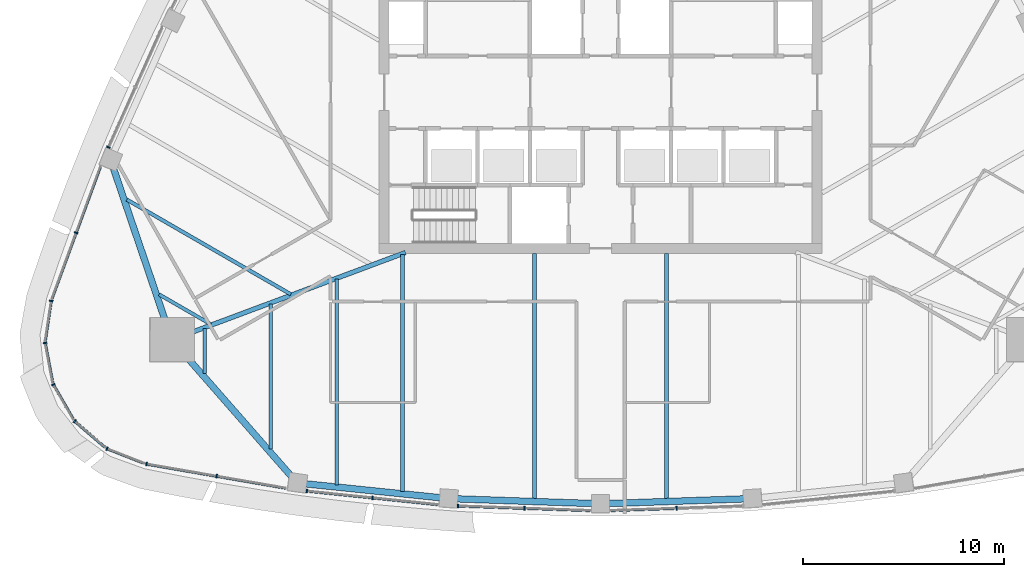
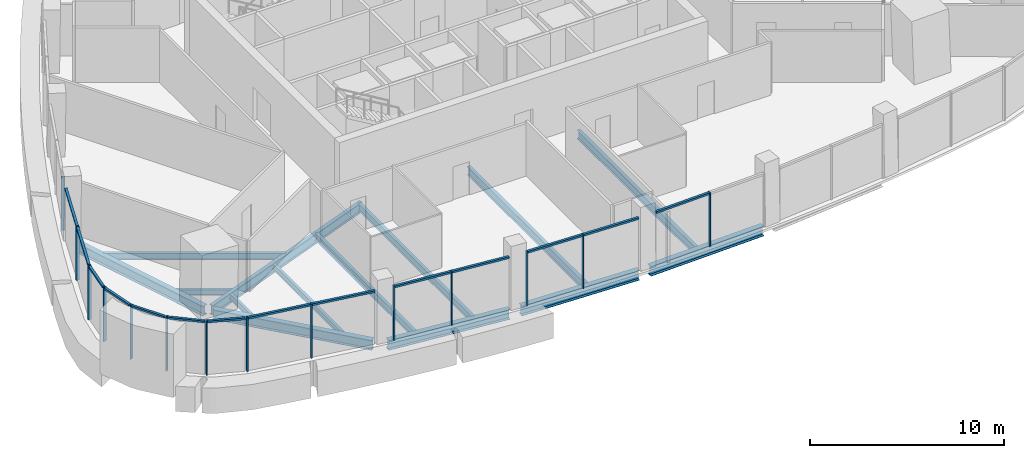
# One storey, part 2 of 15: 28 members, 14 beams, 11 elements without a shape of their own.
"""IFC4 building model written with IfcOpenShell, lengths in metres."""

from ifc_helpers import new_model, si_unit, direction, frame, origin, origin_2d, place, context, subcontext, project, spatial, rectangle, i_section, extrude, material, layer, layer_set, material_profile, profile_set, type_object, element, aggregate, save


model = new_model("IFC4")

# Units and contexts
model_context = context("Model", 3, precision=1e-05, world=origin(), true_north=direction((0.0, 1.0)))
body_context = subcontext(model_context, "Body", "Model", "MODEL_VIEW")
ifc_project = project(units=[si_unit("LENGTHUNIT", "METRE"), si_unit("AREAUNIT", "SQUARE_METRE"), si_unit("VOLUMEUNIT", "CUBIC_METRE"), si_unit("PLANEANGLEUNIT", "RADIAN"), si_unit("MASSUNIT", "GRAM", prefix="KILO")], contexts=[model_context])

# Site, building, storey
site_placement = place(None, origin())
site = spatial("IfcSite", under=ifc_project, at=site_placement, CompositionType="ELEMENT")
building_placement = place(site_placement, origin())
building = spatial("IfcBuilding", under=site, at=building_placement, Name="Sierra Prisma Convention Tower", CompositionType="ELEMENT")
storey_placement = place(building_placement, frame((0.0, 0.0, 267.0)))
storey = spatial("IfcBuildingStorey", under=building, at=storey_placement, Name="L60", CompositionType="ELEMENT", Elevation=267.0)

# Curtain wall, members
ifc_material_1 = material(Name="Aluminium and glass curtain wall", Category="aluminium")
ifc_layer = layer(ifc_material_1, 0.179931640625)
ifc_layer_set = layer_set([ifc_layer], Name="CW-1 Plain shaft curtain wall")
curtain_wall_type = type_object("IfcCurtainWallType", Name="CW-1 Plain shaft curtain wall", PredefinedType="NOTDEFINED", material=ifc_layer_set)
curtain_wall_1_placement = place(storey_placement, origin())
curtain_wall_1 = element("IfcCurtainWall", 1, at=curtain_wall_1_placement, inside=storey, type_object=curtain_wall_type, Name="CW-1 S1 L60", PredefinedType="NOTDEFINED")
ifc_material_2 = material(Name="Aluminium 6063-T6 bronze anodised", Category="aluminium")
ifc_material_profile_1 = material_profile(ifc_material_2, rectangle(XDim=0.179931640625, YDim=0.070068359375, at=origin_2d()), Name="ALU MULLION 70x180")
ifc_profile_set_1 = profile_set([ifc_material_profile_1], Name="Aluminium 6063-T6 bronze anodised")
member_type_1 = type_object("IfcMemberType", Name="CW mullion bronze", PredefinedType="MULLION", material=ifc_profile_set_1)
member_1_placement = place(storey_placement, frame((-22.5400390625, -18.45751953125, 0.0), z_axis=(0.0, 0.0, 1.0), x_axis=(0.170572559804, 0.98534511814, 0.0)))
member_1 = element("IfcMember", 2, at=member_1_placement, type_object=member_type_1, Name="CW-1 mullion S1.1", PredefinedType="MULLION", context=body_context, shape_type="SweptSolid", body=[
    extrude(rectangle(XDim=0.179931640625, YDim=0.070068359375, at=origin_2d()), origin(), (0.0, 0.0, 1.0), 3.39990234375),
])
member_2_placement = place(storey_placement, frame((-19.063232421875, -19.059326171875, 0.0), z_axis=(0.0, 0.0, 1.0), x_axis=(0.170572559804, 0.98534511814, 0.0)))
member_2 = element("IfcMember", 3, at=member_2_placement, type_object=member_type_1, Name="CW-1 mullion S1.2", PredefinedType="MULLION", context=body_context, shape_type="SweptSolid", body=[
    extrude(rectangle(XDim=0.179931640625, YDim=0.070068359375, at=origin_2d()), origin(), (0.0, 0.0, 1.0), 3.39990234375),
])

curtain_wall_2_placement = place(storey_placement, origin())
curtain_wall_2 = element("IfcCurtainWall", 4, at=curtain_wall_2_placement, inside=storey, type_object=curtain_wall_type, Name="CW-1 S2 L60", PredefinedType="NOTDEFINED")
member_3_placement = place(storey_placement, frame((-14.582763671875, -19.798095703125, 0.0), z_axis=(0.0, 0.0, 1.0), x_axis=(0.102665217297, 0.994715966071, 0.0)))
member_3 = element("IfcMember", 5, at=member_3_placement, type_object=member_type_1, Name="CW-1 mullion S2.1", PredefinedType="MULLION", context=body_context, shape_type="SweptSolid", body=[
    extrude(rectangle(XDim=0.179931640625, YDim=0.070068359375, at=origin_2d()), origin(), (0.0, 0.0, 1.0), 3.39990234375),
])
member_4_placement = place(storey_placement, frame((-11.318603515625, -20.135009765625, 0.0), z_axis=(0.0, 0.0, 1.0), x_axis=(0.102665217297, 0.994715966071, 0.0)))
member_4 = element("IfcMember", 6, at=member_4_placement, type_object=member_type_1, Name="CW-1 mullion S2.2", PredefinedType="MULLION", context=body_context, shape_type="SweptSolid", body=[
    extrude(rectangle(XDim=0.179931640625, YDim=0.070068359375, at=origin_2d()), origin(), (0.0, 0.0, 1.0), 3.39990234375),
])

curtain_wall_3_placement = place(storey_placement, origin())
curtain_wall_3 = element("IfcCurtainWall", 7, at=curtain_wall_3_placement, inside=storey, type_object=curtain_wall_type, Name="CW-1 S3 L60", PredefinedType="NOTDEFINED")
member_5_placement = place(storey_placement, frame((-7.075439453125, -20.538818359375, 0.0), z_axis=(0.0, 0.0, 1.0), x_axis=(0.034275428352, 0.999412424883, 0.0)))
member_5 = element("IfcMember", 8, at=member_5_placement, type_object=member_type_1, Name="CW-1 mullion S3.1", PredefinedType="MULLION", context=body_context, shape_type="SweptSolid", body=[
    extrude(rectangle(XDim=0.179931640625, YDim=0.070068359375, at=origin_2d()), origin(), (0.0, 0.0, 1.0), 3.39990234375),
])
member_6_placement = place(storey_placement, frame((-3.780029296875, -20.65185546875, 0.0), z_axis=(0.0, 0.0, 1.0), x_axis=(0.034275428352, 0.999412424883, 0.0)))
member_6 = element("IfcMember", 9, at=member_6_placement, type_object=member_type_1, Name="CW-1 mullion S3.2", PredefinedType="MULLION", context=body_context, shape_type="SweptSolid", body=[
    extrude(rectangle(XDim=0.179931640625, YDim=0.070068359375, at=origin_2d()), origin(), (0.0, 0.0, 1.0), 3.39990234375),
])

# Curtain wall, member
curtain_wall_4_placement = place(storey_placement, origin())
curtain_wall_4 = element("IfcCurtainWall", 10, at=curtain_wall_4_placement, inside=storey, type_object=curtain_wall_type, Name="CW-1 S4 L60", PredefinedType="NOTDEFINED")
member_7_placement = place(storey_placement, frame((3.780029296875, -20.65185546875, 0.0), z_axis=(0.0, 0.0, 1.0), x_axis=(-0.034275428352, 0.999412424883, 0.0)))
member_7 = element("IfcMember", 11, at=member_7_placement, type_object=member_type_1, Name="CW-1 mullion S4.2", PredefinedType="MULLION", context=body_context, shape_type="SweptSolid", body=[
    extrude(rectangle(XDim=0.179931640625, YDim=0.070068359375, at=origin_2d()), origin(), (0.0, 0.0, 1.0), 3.39990234375),
])

curtain_wall_5_placement = place(storey_placement, origin())
curtain_wall_5 = element("IfcCurtainWall", 12, at=curtain_wall_5_placement, inside=storey, type_object=curtain_wall_type, Name="CW-1 NW5 L60", PredefinedType="NOTDEFINED")
member_8_placement = place(storey_placement, frame((-24.43701171875, -2.72998046875, 0.0), z_axis=(0.0, 0.0, 1.0), x_axis=(0.912781904816, -0.408447296771, 0.0)))
member_8 = element("IfcMember", 13, at=member_8_placement, type_object=member_type_1, Name="CW-1 mullion NW5.3", PredefinedType="MULLION", context=body_context, shape_type="SweptSolid", body=[
    extrude(rectangle(XDim=0.179931640625, YDim=0.070068359375, at=origin_2d()), origin(), (0.0, 0.0, 1.0), 3.39990234375),
])
aggregate(curtain_wall_5, [member_8])

curtain_wall_6_placement = place(storey_placement, origin())
curtain_wall_6 = element("IfcCurtainWall", 14, at=curtain_wall_6_placement, inside=storey, type_object=curtain_wall_type, Name="CW-1 NW6 L60", PredefinedType="NOTDEFINED")
member_9_placement = place(storey_placement, frame((-26.03759765625, -6.979736328125, 0.0), z_axis=(0.0, 0.0, 1.0), x_axis=(0.938620183706, -0.344952389091, 0.0)))
member_9 = element("IfcMember", 15, at=member_9_placement, type_object=member_type_1, Name="CW-1 mullion NW6.2", PredefinedType="MULLION", context=body_context, shape_type="SweptSolid", body=[
    extrude(rectangle(XDim=0.179931640625, YDim=0.070068359375, at=origin_2d()), origin(), (0.0, 0.0, 1.0), 3.39990234375),
])

curtain_wall_7_placement = place(storey_placement, origin())
curtain_wall_7 = element("IfcCurtainWall", 16, at=curtain_wall_7_placement, inside=storey, type_object=curtain_wall_type, Name="CW-1 SW1 L60", PredefinedType="NOTDEFINED")
member_10_placement = place(storey_placement, frame((-27.27197265625, -10.35888671875, 0.0), z_axis=(0.0, 0.0, 1.0), x_axis=(0.988830032045, -0.149047535125, 0.0)))
member_10 = element("IfcMember", 17, at=member_10_placement, type_object=member_type_1, Name="CW-1 mullion SW1.1", PredefinedType="MULLION", context=body_context, shape_type="SweptSolid", body=[
    extrude(rectangle(XDim=0.179931640625, YDim=0.070068359375, at=origin_2d()), origin(), (0.0, 0.0, 1.0), 3.39990234375),
])

curtain_wall_8_placement = place(storey_placement, origin())
curtain_wall_8 = element("IfcCurtainWall", 18, at=curtain_wall_8_placement, inside=storey, type_object=curtain_wall_type, Name="CW-1 SW2 L60", PredefinedType="NOTDEFINED")
member_11_placement = place(storey_placement, frame((-27.574462890625, -12.443359375, 0.0), z_axis=(0.0, 0.0, 1.0), x_axis=(0.982566968542, 0.185908989377, 0.0)))
member_11 = element("IfcMember", 19, at=member_11_placement, type_object=member_type_1, Name="CW-1 mullion SW2.1", PredefinedType="MULLION", context=body_context, shape_type="SweptSolid", body=[
    extrude(rectangle(XDim=0.179931640625, YDim=0.070068359375, at=origin_2d()), origin(), (0.0, 0.0, 1.0), 3.39990234375),
])

curtain_wall_9_placement = place(storey_placement, origin())
curtain_wall_9 = element("IfcCurtainWall", 20, at=curtain_wall_9_placement, inside=storey, type_object=curtain_wall_type, Name="CW-1 SW3 L60", PredefinedType="NOTDEFINED")
member_12_placement = place(storey_placement, frame((-27.17138671875, -14.5107421875, 0.0), z_axis=(0.0, 0.0, 1.0), x_axis=(0.866025403784, 0.5, 0.0)))
member_12 = element("IfcMember", 21, at=member_12_placement, type_object=member_type_1, Name="CW-1 mullion SW3.1", PredefinedType="MULLION", context=body_context, shape_type="SweptSolid", body=[
    extrude(rectangle(XDim=0.179931640625, YDim=0.070068359375, at=origin_2d()), origin(), (0.0, 0.0, 1.0), 3.39990234375),
])

curtain_wall_10_placement = place(storey_placement, origin())
curtain_wall_10 = element("IfcCurtainWall", 22, at=curtain_wall_10_placement, inside=storey, type_object=curtain_wall_type, Name="CW-1 SW4 L60", PredefinedType="NOTDEFINED")
member_13_placement = place(storey_placement, frame((-26.1083984375, -16.3291015625, 0.0), z_axis=(0.0, 0.0, 1.0), x_axis=(0.652285391863, 0.757973460988, 0.0)))
member_13 = element("IfcMember", 23, at=member_13_placement, type_object=member_type_1, Name="CW-1 mullion SW4.1", PredefinedType="MULLION", context=body_context, shape_type="SweptSolid", body=[
    extrude(rectangle(XDim=0.179931640625, YDim=0.070068359375, at=origin_2d()), origin(), (0.0, 0.0, 1.0), 3.39990234375),
])

curtain_wall_11_placement = place(storey_placement, origin())
curtain_wall_11 = element("IfcCurtainWall", 24, at=curtain_wall_11_placement, inside=storey, type_object=curtain_wall_type, Name="CW-1 SW5 L60", PredefinedType="NOTDEFINED")
member_14_placement = place(storey_placement, frame((-24.50439453125, -17.694091796875, 0.0), z_axis=(0.0, 0.0, 1.0), x_axis=(0.365336064233, 0.930875695338, 0.0)))
member_14 = element("IfcMember", 25, at=member_14_placement, type_object=member_type_1, Name="CW-1 mullion SW5.1", PredefinedType="MULLION", context=body_context, shape_type="SweptSolid", body=[
    extrude(rectangle(XDim=0.179931640625, YDim=0.070068359375, at=origin_2d()), origin(), (0.0, 0.0, 1.0), 3.39990234375),
])

# Member
ifc_material_3 = material(Name="Aluminium 6063-T6 bronze anodised", Category="aluminium")
ifc_material_profile_2 = material_profile(ifc_material_3, rectangle(XDim=0.139892578125, YDim=0.1201171875, at=origin_2d()), Name="ALU TRANSOM 120x140")
ifc_profile_set_2 = profile_set([ifc_material_profile_2], Name="Aluminium 6063-T6 bronze anodised")
member_type_2 = type_object("IfcMemberType", Name="CW transom bronze", PredefinedType="USERDEFINED", material=ifc_profile_set_2)
member_15_placement = place(storey_placement, frame((-22.50537109375, -18.46337890625, 3.340087890625), z_axis=(0.985346170751, -0.170566479081, 0.0), x_axis=(0.170566479081, 0.985346170751, 0.0)))
member_15 = element("IfcMember", 26, at=member_15_placement, type_object=member_type_2, Name="CW-1 transom S1.1", ObjectType="TRANSOM", PredefinedType="USERDEFINED", context=body_context, shape_type="SweptSolid", body=[
    extrude(rectangle(XDim=0.139892578125, YDim=0.1201171875, at=origin_2d()), origin(), (0.0, 0.0, 1.0), 3.458251953125),
])

member_16_placement = place(storey_placement, frame((-19.02880859375, -19.065185546875, 3.340087890625), z_axis=(0.98533635853, -0.170623153644, 0.0), x_axis=(0.170623153644, 0.98533635853, 0.0)))
member_16 = element("IfcMember", 27, at=member_16_placement, type_object=member_type_2, Name="CW-1 transom S1.2", ObjectType="TRANSOM", PredefinedType="USERDEFINED", context=body_context, shape_type="SweptSolid", body=[
    extrude(rectangle(XDim=0.139892578125, YDim=0.1201171875, at=origin_2d()), origin(), (0.0, 0.0, 1.0), 3.45849609375),
])

aggregate(curtain_wall_1, [member_1, member_2, member_15, member_16])

member_17_placement = place(storey_placement, frame((-14.5478515625, -19.8017578125, 3.340087890625), z_axis=(0.994719127862, -0.10263457831, 0.0), x_axis=(0.10263457831, 0.994719127862, 0.0)))
member_17 = element("IfcMember", 28, at=member_17_placement, type_object=member_type_2, Name="CW-1 transom S2.1", ObjectType="TRANSOM", PredefinedType="USERDEFINED", context=body_context, shape_type="SweptSolid", body=[
    extrude(rectangle(XDim=0.139892578125, YDim=0.1201171875, at=origin_2d()), origin(), (0.0, 0.0, 1.0), 3.211181640625),
])

member_18_placement = place(storey_placement, frame((-11.283935546875, -20.138671875, 3.340087890625), z_axis=(0.994719928614, -0.102626817243, 0.0), x_axis=(0.102626817243, 0.994719928614, 0.0)))
member_18 = element("IfcMember", 29, at=member_18_placement, type_object=member_type_2, Name="CW-1 transom S2.2", ObjectType="TRANSOM", PredefinedType="USERDEFINED", context=body_context, shape_type="SweptSolid", body=[
    extrude(rectangle(XDim=0.139892578125, YDim=0.1201171875, at=origin_2d()), origin(), (0.0, 0.0, 1.0), 3.21142578125),
])

aggregate(curtain_wall_2, [member_3, member_4, member_17, member_18])

member_19_placement = place(storey_placement, frame((-7.040283203125, -20.5400390625, 3.340087890625), z_axis=(0.999412629333, -0.034269466436, 0.0), x_axis=(0.034269466436, 0.999412629333, 0.0)))
member_19 = element("IfcMember", 30, at=member_19_placement, type_object=member_type_2, Name="CW-1 transom S3.1", ObjectType="TRANSOM", PredefinedType="USERDEFINED", context=body_context, shape_type="SweptSolid", body=[
    extrude(rectangle(XDim=0.139892578125, YDim=0.1201171875, at=origin_2d()), origin(), (0.0, 0.0, 1.0), 3.227294921875),
])

member_20_placement = place(storey_placement, frame((-3.7451171875, -20.653076171875, 3.340087890625), z_axis=(0.999412629333, -0.034269466436, 0.0), x_axis=(0.034269466436, 0.999412629333, 0.0)))
member_20 = element("IfcMember", 31, at=member_20_placement, type_object=member_type_2, Name="CW-1 transom S3.2", ObjectType="TRANSOM", PredefinedType="USERDEFINED", context=body_context, shape_type="SweptSolid", body=[
    extrude(rectangle(XDim=0.139892578125, YDim=0.1201171875, at=origin_2d()), origin(), (0.0, 0.0, 1.0), 3.227294921875),
])

aggregate(curtain_wall_3, [member_5, member_6, member_19, member_20])

member_21_placement = place(storey_placement, frame((0.519775390625, -20.763671875, 3.340087890625), z_axis=(0.999412629333, 0.034269466436, 0.0), x_axis=(-0.034269466436, 0.999412629333, 0.0)))
member_21 = element("IfcMember", 32, at=member_21_placement, type_object=member_type_2, Name="CW-1 transom S4.1", ObjectType="TRANSOM", PredefinedType="USERDEFINED", context=body_context, shape_type="SweptSolid", body=[
    extrude(rectangle(XDim=0.139892578125, YDim=0.1201171875, at=origin_2d()), origin(), (0.0, 0.0, 1.0), 3.227294921875),
])

aggregate(curtain_wall_4, [member_7, member_21])

member_22_placement = place(storey_placement, frame((-24.83251953125, -3.70068359375, 3.340087890625), z_axis=(-0.344926629839, -0.93862965009, 0.0), x_axis=(0.93862965009, -0.344926629839, 0.0)))
member_22 = element("IfcMember", 33, at=member_22_placement, type_object=member_type_2, Name="CW-1 transom NW6.1", ObjectType="TRANSOM", PredefinedType="USERDEFINED", context=body_context, shape_type="SweptSolid", body=[
    extrude(rectangle(XDim=0.139892578125, YDim=0.1201171875, at=origin_2d()), origin(), (0.0, 0.0, 1.0), 3.458251953125),
])

member_23_placement = place(storey_placement, frame((-26.049560546875, -7.012451171875, 3.340087890625), z_axis=(-0.344926629839, -0.93862965009, 0.0), x_axis=(0.93862965009, -0.344926629839, 0.0)))
member_23 = element("IfcMember", 34, at=member_23_placement, type_object=member_type_2, Name="CW-1 transom NW6.2", ObjectType="TRANSOM", PredefinedType="USERDEFINED", context=body_context, shape_type="SweptSolid", body=[
    extrude(rectangle(XDim=0.139892578125, YDim=0.1201171875, at=origin_2d()), origin(), (0.0, 0.0, 1.0), 3.458251953125),
])

aggregate(curtain_wall_6, [member_9, member_22, member_23])

member_24_placement = place(storey_placement, frame((-27.277099609375, -10.3935546875, 3.340087890625), z_axis=(-0.149092517242, -0.98882325079, 0.0), x_axis=(0.98882325079, -0.149092517242, 0.0)))
member_24 = element("IfcMember", 35, at=member_24_placement, type_object=member_type_2, Name="CW-1 transom SW1.1", ObjectType="TRANSOM", PredefinedType="USERDEFINED", context=body_context, shape_type="SweptSolid", body=[
    extrude(rectangle(XDim=0.139892578125, YDim=0.1201171875, at=origin_2d()), origin(), (0.0, 0.0, 1.0), 1.96826171875),
])

aggregate(curtain_wall_7, [member_10, member_24])

member_25_placement = place(storey_placement, frame((-27.56787109375, -12.477783203125, 3.340087890625), z_axis=(0.185943455322, -0.982560446702, 0.0), x_axis=(0.982560446702, 0.185943455322, 0.0)))
member_25 = element("IfcMember", 36, at=member_25_placement, type_object=member_type_2, Name="CW-1 transom SW2.1", ObjectType="TRANSOM", PredefinedType="USERDEFINED", context=body_context, shape_type="SweptSolid", body=[
    extrude(rectangle(XDim=0.139892578125, YDim=0.1201171875, at=origin_2d()), origin(), (0.0, 0.0, 1.0), 1.96826171875),
])

aggregate(curtain_wall_8, [member_11, member_25])

member_26_placement = place(storey_placement, frame((-27.154052734375, -14.541015625, 3.340087890625), z_axis=(0.49999445743, -0.866028603765, 0.0), x_axis=(0.866028603765, 0.49999445743, 0.0)))
member_26 = element("IfcMember", 37, at=member_26_placement, type_object=member_type_2, Name="CW-1 transom SW3.1", ObjectType="TRANSOM", PredefinedType="USERDEFINED", context=body_context, shape_type="SweptSolid", body=[
    extrude(rectangle(XDim=0.139892578125, YDim=0.1201171875, at=origin_2d()), origin(), (0.0, 0.0, 1.0), 1.96826171875),
])

aggregate(curtain_wall_9, [member_12, member_26])

member_27_placement = place(storey_placement, frame((-26.081787109375, -16.351806640625, 3.340087890625), z_axis=(0.757915307009, -0.652352962285, 0.0), x_axis=(0.652352962285, 0.757915307009, 0.0)))
member_27 = element("IfcMember", 38, at=member_27_placement, type_object=member_type_2, Name="CW-1 transom SW4.1", ObjectType="TRANSOM", PredefinedType="USERDEFINED", context=body_context, shape_type="SweptSolid", body=[
    extrude(rectangle(XDim=0.139892578125, YDim=0.1201171875, at=origin_2d()), origin(), (0.0, 0.0, 1.0), 1.96826171875),
])

aggregate(curtain_wall_10, [member_13, member_27])

member_28_placement = place(storey_placement, frame((-24.4716796875, -17.706787109375, 3.340087890625), z_axis=(0.930835901668, -0.365437442206, 0.0), x_axis=(0.365437442206, 0.930835901668, 0.0)))
member_28 = element("IfcMember", 39, at=member_28_placement, type_object=member_type_2, Name="CW-1 transom SW5.1", ObjectType="TRANSOM", PredefinedType="USERDEFINED", context=body_context, shape_type="SweptSolid", body=[
    extrude(rectangle(XDim=0.139892578125, YDim=0.1201171875, at=origin_2d()), origin(), (0.0, 0.0, 1.0), 1.96826171875),
])

aggregate(curtain_wall_11, [member_14, member_28])

# Beams
ifc_material_4 = material(Name="Steel ASTM A992 Gr 50", Category="steel")
ifc_material_profile_3 = material_profile(ifc_material_4, i_section(OverallWidth=0.172119140625, OverallDepth=0.35791015625, WebThickness=0.0078125, FlangeThickness=0.01318359375, at=origin_2d()), Name="W360x57")
ifc_profile_set_3 = profile_set([ifc_material_profile_3], Name="Steel ASTM A992 Gr 50")
beam_type_1 = type_object("IfcBeamType", Name="Floor joist W360x57", PredefinedType="JOIST", material=ifc_profile_set_3)
beam_1_placement = place(storey_placement, frame((-19.651611328125, -13.963134765625, -0.3291015625), z_axis=(0.0, 1.0, 0.0), x_axis=(-1.0, 0.0, 0.0)))
element("IfcBeam", 40, at=beam_1_placement, inside=storey, type_object=beam_type_1, Name="Floor joist L60 S01", PredefinedType="JOIST", context=body_context, shape_type="SweptSolid", body=[
    extrude(i_section(OverallWidth=0.172119140625, OverallDepth=0.35791015625, WebThickness=0.0078125, FlangeThickness=0.01318359375, at=origin_2d()), origin(), (0.0, 0.0, 1.0), 2.234375),
])
beam_2_placement = place(storey_placement, frame((-16.376220703125, -17.699951171875, -0.3291015625), z_axis=(0.0, 1.0, 0.0), x_axis=(-1.0, 0.0, 0.0)))
element("IfcBeam", 41, at=beam_2_placement, inside=storey, type_object=beam_type_1, Name="Floor joist L60 S02", PredefinedType="JOIST", context=body_context, shape_type="SweptSolid", body=[
    extrude(i_section(OverallWidth=0.172119140625, OverallDepth=0.35791015625, WebThickness=0.0078125, FlangeThickness=0.01318359375, at=origin_2d()), origin(), (0.0, 0.0, 1.0), 7.194580078125),
])
beam_3_placement = place(storey_placement, frame((-21.918212890625, -10.037109375, -0.3291015625), z_axis=(0.86600858836, -0.500029124038, 0.0), x_axis=(0.500029124038, 0.86600858836, 0.0)))
element("IfcBeam", 42, at=beam_3_placement, inside=storey, type_object=beam_type_1, Name="Floor joist L60 NW13", PredefinedType="JOIST", context=body_context, shape_type="SweptSolid", body=[
    extrude(i_section(OverallWidth=0.172119140625, OverallDepth=0.35791015625, WebThickness=0.0078125, FlangeThickness=0.01318359375, at=origin_2d()), origin(), (0.0, 0.0, 1.0), 2.963134765625),
])
ifc_material_5 = material(Name="Steel ASTM A992 Gr 50", Category="steel")
ifc_material_profile_4 = material_profile(ifc_material_5, i_section(OverallWidth=0.177978515625, OverallDepth=0.406982421875, WebThickness=0.0078125, FlangeThickness=0.0126953125, at=origin_2d()), Name="W410x60")
ifc_profile_set_4 = profile_set([ifc_material_profile_4], Name="Steel ASTM A992 Gr 50")
beam_type_2 = type_object("IfcBeamType", Name="Floor joist W410x60", PredefinedType="JOIST", material=ifc_profile_set_4)
beam_4_placement = place(storey_placement, frame((-23.516845703125, -5.332275390625, -0.353515625), z_axis=(0.866021259968, -0.500007177232, 0.0), x_axis=(0.500007177232, 0.866021259968, 0.0)))
element("IfcBeam", 43, at=beam_4_placement, inside=storey, type_object=beam_type_2, Name="Floor joist L60 NW12", PredefinedType="JOIST", context=body_context, shape_type="SweptSolid", body=[
    extrude(i_section(OverallWidth=0.177978515625, OverallDepth=0.406982421875, WebThickness=0.0078125, FlangeThickness=0.0126953125, at=origin_2d()), origin(), (0.0, 0.0, 1.0), 9.401611328125),
])
ifc_material_6 = material(Name="Steel ASTM A992 Gr 50", Category="steel")
ifc_material_profile_5 = material_profile(ifc_material_6, i_section(OverallWidth=0.18994140625, OverallDepth=0.45703125, WebThickness=0.009033203125, FlangeThickness=0.014404296875, at=origin_2d()), Name="W460x74")
ifc_profile_set_5 = profile_set([ifc_material_profile_5], Name="Steel ASTM A992 Gr 50")
beam_type_3 = type_object("IfcBeamType", Name="Floor joist W460x74", PredefinedType="JOIST", material=ifc_profile_set_5)
beam_5_placement = place(storey_placement, frame((-13.10107421875, -19.486083984375, -0.37841796875), z_axis=(0.0, 1.0, 0.0), x_axis=(-1.0, 0.0, 0.0)))
element("IfcBeam", 44, at=beam_5_placement, inside=storey, type_object=beam_type_3, Name="Floor joist L60 S03", PredefinedType="JOIST", context=body_context, shape_type="SweptSolid", body=[
    extrude(i_section(OverallWidth=0.18994140625, OverallDepth=0.45703125, WebThickness=0.009033203125, FlangeThickness=0.014404296875, at=origin_2d()), origin(), (0.0, 0.0, 1.0), 10.2041015625),
])
beam_6_placement = place(storey_placement, frame((-9.82568359375, -19.82421875, -0.37841796875), z_axis=(0.0, 1.0, 0.0), x_axis=(-1.0, 0.0, 0.0)))
element("IfcBeam", 45, at=beam_6_placement, inside=storey, type_object=beam_type_3, Name="Floor joist L60 S04", PredefinedType="JOIST", context=body_context, shape_type="SweptSolid", body=[
    extrude(i_section(OverallWidth=0.18994140625, OverallDepth=0.45703125, WebThickness=0.009033203125, FlangeThickness=0.014404296875, at=origin_2d()), origin(), (0.0, 0.0, 1.0), 11.765380859375),
])
ifc_material_7 = material(Name="Steel ASTM A992 Gr 50", Category="steel")
ifc_material_profile_6 = material_profile(ifc_material_7, i_section(OverallWidth=0.208984375, OverallDepth=0.532958984375, WebThickness=0.01025390625, FlangeThickness=0.015625, at=origin_2d()), Name="W530x92")
ifc_profile_set_6 = profile_set([ifc_material_profile_6], Name="Steel ASTM A992 Gr 50")
beam_type_4 = type_object("IfcBeamType", Name="Floor joist W530x92", PredefinedType="JOIST", material=ifc_profile_set_6)
for number, where, z_axis, x_axis, name in (
    (46, (-3.275146484375, -20.20654296875, -0.41650390625), (0.0, 1.0, 0.0), (-1.0, 0.0, 0.0), "Floor joist L60 S06"),
    (47, (3.275146484375, -20.20654296875, -0.41650390625), (0.0, 1.0, 0.0), (-1.0, 0.0, 0.0), "Floor joist L60 S08"),
):
    element("IfcBeam", number, at=place(storey_placement, frame(where, z_axis=z_axis, x_axis=x_axis)), inside=storey, type_object=beam_type_4, Name=name, PredefinedType="JOIST", context=body_context, shape_type="SweptSolid", body=[
        extrude(i_section(OverallWidth=0.208984375, OverallDepth=0.532958984375, WebThickness=0.01025390625, FlangeThickness=0.015625, at=origin_2d()), origin(), (0.0, 0.0, 1.0), 12.20654296875),
    ])
ifc_material_8 = material(Name="Steel ASTM A992 Gr 50", Category="steel")
ifc_material_profile_7 = material_profile(ifc_material_8, i_section(OverallWidth=0.22998046875, OverallDepth=0.616943359375, WebThickness=0.01318359375, FlangeThickness=0.022216796875, at=origin_2d()), Name="W610x140")
ifc_profile_set_7 = profile_set([ifc_material_profile_7], Name="Steel ASTM A992 Gr 50")
beam_type_5 = type_object("IfcBeamType", Name="Radial girder W610x140", PredefinedType="BEAM", material=ifc_profile_set_7)
beam_7_placement = place(storey_placement, frame((-21.069091796875, -12.209228515625, -0.45849609375), z_axis=(0.936785053593, 0.34990536344, 0.0), x_axis=(-0.34990536344, 0.936785053593, 0.0)))
element("IfcBeam", 48, at=beam_7_placement, inside=storey, type_object=beam_type_5, Name="Radial girder L60 SW", PredefinedType="BEAM", context=body_context, shape_type="SweptSolid", body=[
    extrude(i_section(OverallWidth=0.22998046875, OverallDepth=0.616943359375, WebThickness=0.01318359375, FlangeThickness=0.022216796875, at=origin_2d()), origin(), (0.0, 0.0, 1.0), 12.149658203125),
])
ifc_material_9 = material(Name="Steel ASTM A992 Gr 50", Category="steel")
ifc_material_profile_8 = material_profile(ifc_material_9, i_section(OverallWidth=0.324951171875, OverallDepth=0.615966796875, WebThickness=0.013916015625, FlangeThickness=0.021484375, at=origin_2d()), Name="W610x174")
ifc_profile_set_8 = profile_set([ifc_material_profile_8], Name="Steel ASTM A992 Gr 50")
beam_type_6 = type_object("IfcBeamType", Name="Spandrel beam W610x174", PredefinedType="BEAM", material=ifc_profile_set_8)
beam_8_placement = place(storey_placement, frame((-21.096435546875, -12.51123046875, -0.4580078125), z_axis=(0.659149455345, -0.75201196501, 0.0), x_axis=(0.75201196501, 0.659149455345, 0.0)))
element("IfcBeam", 49, at=beam_8_placement, inside=storey, type_object=beam_type_6, Name="Spandrel L60-01", PredefinedType="BEAM", context=body_context, shape_type="SweptSolid", body=[
    extrude(i_section(OverallWidth=0.324951171875, OverallDepth=0.615966796875, WebThickness=0.013916015625, FlangeThickness=0.021484375, at=origin_2d()), origin(), (0.0, 0.0, 1.0), 8.68115234375),
])
for number, where, z_axis, x_axis, name in (
    (50, (-14.732421875, -19.43115234375, -0.4580078125), (0.994716893749, -0.102656228699, 0.0), (0.102656228699, 0.994716893749, 0.0), "Spandrel L60-02"),
    (51, (-7.218017578125, -20.183837890625, -0.4580078125), (0.999411916563, -0.03429024688, 0.0), (0.03429024688, 0.999411916563, 0.0), "Spandrel L60-03"),
    (52, (0.330078125, -20.420166015625, -0.4580078125), (0.999411916563, 0.03429024688, 0.0), (-0.03429024688, 0.999411916563, 0.0), "Spandrel L60-04"),
):
    element("IfcBeam", number, at=place(storey_placement, frame(where, z_axis=z_axis, x_axis=x_axis)), inside=storey, type_object=beam_type_6, Name=name, PredefinedType="BEAM", context=body_context, shape_type="SweptSolid", body=[
        extrude(i_section(OverallWidth=0.324951171875, OverallDepth=0.615966796875, WebThickness=0.013916015625, FlangeThickness=0.021484375, at=origin_2d()), origin(), (0.0, 0.0, 1.0), 6.89208984375),
    ])
beam_9_placement = place(storey_placement, frame((-24.176025390625, -3.794677734375, -0.4580078125), z_axis=(0.321693928852, -0.946843712626, 0.0), x_axis=(0.946843712626, 0.321693928852, 0.0)))
element("IfcBeam", 53, at=beam_9_placement, inside=storey, type_object=beam_type_6, Name="Spandrel L60-18", PredefinedType="BEAM", context=body_context, shape_type="SweptSolid", body=[
    extrude(i_section(OverallWidth=0.324951171875, OverallDepth=0.615966796875, WebThickness=0.013916015625, FlangeThickness=0.021484375, at=origin_2d()), origin(), (0.0, 0.0, 1.0), 8.7412109375),
])

save(model, "model.ifc")
